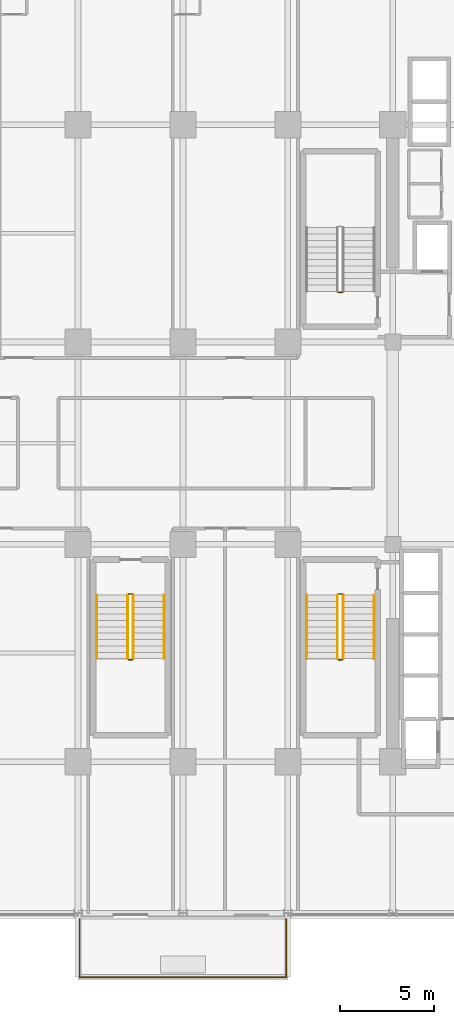
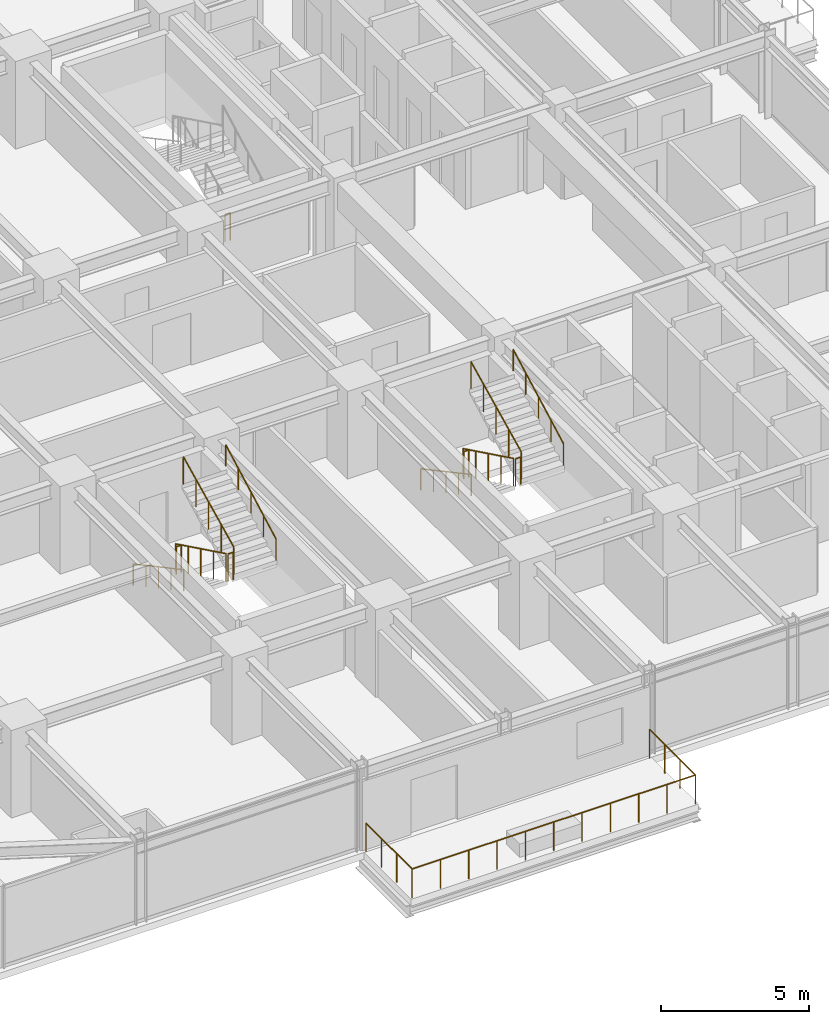
# One storey, part 34 of 36: 14 railings.
"""IFC4 building model written with IfcOpenShell, lengths in metres."""

from ifc_helpers import new_model, si_unit, direction, frame, origin, origin_2d, place, context, subcontext, project, spatial, circle, extrude, material, type_object, element, save


model = new_model("IFC4")

# Units and contexts
model_context = context("Model", 3, precision=1e-05, world=origin(), true_north=direction((0.0, 1.0)))
body_context = subcontext(model_context, "Body", "Model", "MODEL_VIEW")
ifc_project = project(units=[si_unit("LENGTHUNIT", "METRE"), si_unit("AREAUNIT", "SQUARE_METRE"), si_unit("VOLUMEUNIT", "CUBIC_METRE"), si_unit("PLANEANGLEUNIT", "RADIAN"), si_unit("MASSUNIT", "GRAM", prefix="KILO")], contexts=[model_context])

# Site, building, storey
site_placement = place(None, origin())
site = spatial("IfcSite", under=ifc_project, at=site_placement, CompositionType="ELEMENT")
building_placement = place(site_placement, origin())
building = spatial("IfcBuilding", under=site, at=building_placement, Name="Nahalor Promenade Grand Hotel", CompositionType="ELEMENT")
storey_placement = place(building_placement, frame((0.0, 0.0, 72.550048828125)))
storey = spatial("IfcBuildingStorey", under=building, at=storey_placement, Name="L17", CompositionType="ELEMENT", Elevation=72.550048828125)

# Railings
ifc_material_1 = material(Name="Anodised Bronze Aluminium EN AW-6063 T6", Category="aluminium")
railing_type_1 = type_object("IfcRailingType", Name="Bronze Balcony Guardrail 1200 mm", PredefinedType="GUARDRAIL", material=ifc_material_1)
railing_1_placement = place(storey_placement, frame((-8.320068359375, -25.39990234375, 0.0)))
element("IfcRailing", 1, at=railing_1_placement, inside=storey, type_object=railing_type_1, Name="L17 Balcony Guardrail 1", PredefinedType="GUARDRAIL", context=body_context, shape_type="SweptSolid", body=[
    extrude(circle(Radius=0.024048, at=origin_2d()), frame((0.0, 0.0, 1.17578125), z_axis=(0.0, -1.0, 0.0), x_axis=(1.0, 0.0, 0.0)), (0.0, 0.0, 1.0), 3.09814453125),
    extrude(circle(Radius=0.024048, at=origin_2d()), frame((0.001953125, -3.10009765625, 1.17578125), z_axis=(1.0, 0.0, 0.0), x_axis=(0.0, 1.0, 0.0)), (0.0, 0.0, 1.0), 11.0361328125),
    extrude(circle(Radius=0.024048, at=origin_2d()), frame((11.0400390625, -3.09814453125, 1.17578125), z_axis=(0.0, 1.0, 0.0), x_axis=(-1.0, 0.0, 0.0)), (0.0, 0.0, 1.0), 3.09814453125),
    extrude(circle(Radius=0.020996, at=origin_2d()), origin(), (0.0, 0.0, 1.0), 1.14990234375),
    extrude(circle(Radius=0.020996, at=origin_2d()), frame((0.0, -1.033447265625, 0.0)), (0.0, 0.0, 1.0), 1.14990234375),
    extrude(circle(Radius=0.020996, at=origin_2d()), frame((0.0, -2.066650390625, 0.0)), (0.0, 0.0, 1.0), 1.14990234375),
    extrude(circle(Radius=0.020996, at=origin_2d()), frame((0.0, -3.10009765625, 0.0)), (0.0, 0.0, 1.0), 1.14990234375),
    extrude(circle(Radius=0.020996, at=origin_2d()), frame((1.10400390625, -3.10009765625, 0.0)), (0.0, 0.0, 1.0), 1.14990234375),
    extrude(circle(Radius=0.020996, at=origin_2d()), frame((2.2080078125, -3.10009765625, 0.0)), (0.0, 0.0, 1.0), 1.14990234375),
    extrude(circle(Radius=0.020996, at=origin_2d()), frame((3.31201171875, -3.10009765625, 0.0)), (0.0, 0.0, 1.0), 1.14990234375),
    extrude(circle(Radius=0.020996, at=origin_2d()), frame((4.416015625, -3.10009765625, 0.0)), (0.0, 0.0, 1.0), 1.14990234375),
    extrude(circle(Radius=0.020996, at=origin_2d()), frame((5.52001953125, -3.10009765625, 0.0)), (0.0, 0.0, 1.0), 1.14990234375),
    extrude(circle(Radius=0.020996, at=origin_2d()), frame((6.6240234375, -3.10009765625, 0.0)), (0.0, 0.0, 1.0), 1.14990234375),
    extrude(circle(Radius=0.020996, at=origin_2d()), frame((7.72802734375, -3.10009765625, 0.0)), (0.0, 0.0, 1.0), 1.14990234375),
    extrude(circle(Radius=0.020996, at=origin_2d()), frame((8.83203125, -3.10009765625, 0.0)), (0.0, 0.0, 1.0), 1.14990234375),
    extrude(circle(Radius=0.020996, at=origin_2d()), frame((9.93603515625, -3.10009765625, 0.0)), (0.0, 0.0, 1.0), 1.14990234375),
    extrude(circle(Radius=0.020996, at=origin_2d()), frame((11.0400390625, -3.10009765625, 0.0)), (0.0, 0.0, 1.0), 1.14990234375),
    extrude(circle(Radius=0.020996, at=origin_2d()), frame((11.0400390625, -2.066650390625, 0.0)), (0.0, 0.0, 1.0), 1.14990234375),
    extrude(circle(Radius=0.020996, at=origin_2d()), frame((11.0400390625, -1.033447265625, 0.0)), (0.0, 0.0, 1.0), 1.14990234375),
    extrude(circle(Radius=0.020996, at=origin_2d()), frame((11.0400390625, 0.0, 0.0)), (0.0, 0.0, 1.0), 1.14990234375),
])
ifc_material_2 = material(Name="Steel S355JR", Category="steel")
railing_type_2 = type_object("IfcRailingType", Name="Steel Stair Guardrail 1150 mm", PredefinedType="GUARDRAIL", material=ifc_material_2)
railing_2_placement = place(storey_placement, frame((5.699951171875, 8.050048828125, 0.0)))
element("IfcRailing", 2, at=railing_2_placement, inside=storey, type_object=railing_type_2, Name="L17 ST1 stair guard 4", PredefinedType="GUARDRAIL", context=body_context, shape_type="SweptSolid", body=[
    extrude(circle(Radius=0.024048, at=origin_2d()), frame((0.0, 0.0, 1.1259765625), z_axis=(-1.0, 0.0, 0.0), x_axis=(0.0, -1.0, 0.0)), (0.0, 0.0, 1.0), 0.199951171875),
    extrude(circle(Radius=0.020996, at=origin_2d()), origin(), (0.0, 0.0, 1.0), 1.099853515625),
    extrude(circle(Radius=0.020996, at=origin_2d()), frame((-0.199951171875, 0.0, 0.0)), (0.0, 0.0, 1.0), 1.099853515625),
])
railing_3_placement = place(storey_placement, frame((5.449951171875, -8.10009765625, 0.165771484375)))
element("IfcRailing", 3, at=railing_3_placement, inside=storey, type_object=railing_type_2, Name="L17 ST2 stair guard 1", PredefinedType="GUARDRAIL", context=body_context, shape_type="SweptSolid", body=[
    extrude(circle(Radius=0.024048, at=origin_2d()), frame((0.0, 0.0, 1.1259765625), z_axis=(0.0, -0.898696488221, 0.438571114028), x_axis=(1.0, 0.0, 0.0)), (0.0, 0.0, 1.0), 3.783203125),
    extrude(circle(Radius=0.020996, at=origin_2d()), origin(), (0.0, 0.0, 1.0), 1.099853515625),
    extrude(circle(Radius=0.020996, at=origin_2d()), frame((0.0, -0.85009765625, 0.414794921875)), (0.0, 0.0, 1.0), 1.099853515625),
    extrude(circle(Radius=0.020996, at=origin_2d()), frame((0.0, -1.699951171875, 0.82958984375)), (0.0, 0.0, 1.0), 1.099853515625),
    extrude(circle(Radius=0.020996, at=origin_2d()), frame((0.0, -2.5498046875, 1.244384765625)), (0.0, 0.0, 1.0), 1.099853515625),
    extrude(circle(Radius=0.020996, at=origin_2d()), frame((0.0, -3.39990234375, 1.6591796875)), (0.0, 0.0, 1.0), 1.099853515625),
])
railing_4_placement = place(storey_placement, frame((5.5, -11.550048828125, 1.824951171875)))
element("IfcRailing", 4, at=railing_4_placement, inside=storey, type_object=railing_type_2, Name="L17 ST2 stair guard 2", PredefinedType="GUARDRAIL", context=body_context, shape_type="SweptSolid", body=[
    extrude(circle(Radius=0.024048, at=origin_2d()), frame((0.0, 0.0, 1.1259765625), z_axis=(1.0, 0.0, 0.0), x_axis=(0.0, 1.0, 0.0)), (0.0, 0.0, 1.0), 0.199951171875),
    extrude(circle(Radius=0.020996, at=origin_2d()), origin(), (0.0, 0.0, 1.0), 1.099853515625),
    extrude(circle(Radius=0.020996, at=origin_2d()), frame((0.199951171875, 0.0, 0.0)), (0.0, 0.0, 1.0), 1.099853515625),
])
railing_5_placement = place(storey_placement, frame((5.75, -11.5, 1.990966796875)))
element("IfcRailing", 5, at=railing_5_placement, inside=storey, type_object=railing_type_2, Name="L17 ST2 stair guard 3", PredefinedType="GUARDRAIL", context=body_context, shape_type="SweptSolid", body=[
    extrude(circle(Radius=0.024048, at=origin_2d()), frame((0.0, 0.0, 1.1259765625), z_axis=(0.0, 0.898721922897, 0.438518990814), x_axis=(-1.0, 0.0, 0.0)), (0.0, 0.0, 1.0), 3.782958984375),
    extrude(circle(Radius=0.020996, at=origin_2d()), origin(), (0.0, 0.0, 1.0), 1.099853515625),
    extrude(circle(Radius=0.020996, at=origin_2d()), frame((0.0, 0.85009765625, 0.414794921875)), (0.0, 0.0, 1.0), 1.099853515625),
    extrude(circle(Radius=0.020996, at=origin_2d()), frame((0.0, 1.699951171875, 0.82958984375)), (0.0, 0.0, 1.0), 1.099853515625),
    extrude(circle(Radius=0.020996, at=origin_2d()), frame((0.0, 2.5498046875, 1.244140625)), (0.0, 0.0, 1.0), 1.099853515625),
    extrude(circle(Radius=0.020996, at=origin_2d()), frame((0.0, 3.39990234375, 1.658935546875)), (0.0, 0.0, 1.0), 1.099853515625),
])
railing_6_placement = place(storey_placement, frame((5.5, -8.050048828125, 0.0)))
element("IfcRailing", 6, at=railing_6_placement, inside=storey, type_object=railing_type_2, Name="L17 ST2 stair guard 4", PredefinedType="GUARDRAIL", context=body_context, shape_type="SweptSolid", body=[
    extrude(circle(Radius=0.024048, at=origin_2d()), frame((0.0, 0.0, 1.1259765625), z_axis=(1.0, 0.0, 0.0), x_axis=(0.0, 1.0, 0.0)), (0.0, 0.0, 1.0), 0.199951171875),
    extrude(circle(Radius=0.020996, at=origin_2d()), origin(), (0.0, 0.0, 1.0), 1.099853515625),
    extrude(circle(Radius=0.020996, at=origin_2d()), frame((0.199951171875, 0.0, 0.0)), (0.0, 0.0, 1.0), 1.099853515625),
])
railing_7_placement = place(storey_placement, frame((-5.75, -8.10009765625, 0.165771484375)))
element("IfcRailing", 7, at=railing_7_placement, inside=storey, type_object=railing_type_2, Name="L17 ST3 stair guard 1", PredefinedType="GUARDRAIL", context=body_context, shape_type="SweptSolid", body=[
    extrude(circle(Radius=0.024048, at=origin_2d()), frame((0.0, 0.0, 1.1259765625), z_axis=(0.0, -0.898696488221, 0.438571114028), x_axis=(1.0, 0.0, 0.0)), (0.0, 0.0, 1.0), 3.783203125),
    extrude(circle(Radius=0.020996, at=origin_2d()), origin(), (0.0, 0.0, 1.0), 1.099853515625),
    extrude(circle(Radius=0.020996, at=origin_2d()), frame((0.0, -0.85009765625, 0.414794921875)), (0.0, 0.0, 1.0), 1.099853515625),
    extrude(circle(Radius=0.020996, at=origin_2d()), frame((0.0, -1.699951171875, 0.82958984375)), (0.0, 0.0, 1.0), 1.099853515625),
    extrude(circle(Radius=0.020996, at=origin_2d()), frame((0.0, -2.5498046875, 1.244384765625)), (0.0, 0.0, 1.0), 1.099853515625),
    extrude(circle(Radius=0.020996, at=origin_2d()), frame((0.0, -3.39990234375, 1.6591796875)), (0.0, 0.0, 1.0), 1.099853515625),
])
railing_8_placement = place(storey_placement, frame((-5.699951171875, -11.550048828125, 1.824951171875)))
element("IfcRailing", 8, at=railing_8_placement, inside=storey, type_object=railing_type_2, Name="L17 ST3 stair guard 2", PredefinedType="GUARDRAIL", context=body_context, shape_type="SweptSolid", body=[
    extrude(circle(Radius=0.024048, at=origin_2d()), frame((0.0, 0.0, 1.1259765625), z_axis=(1.0, 0.0, 0.0), x_axis=(0.0, 1.0, 0.0)), (0.0, 0.0, 1.0), 0.199951171875),
    extrude(circle(Radius=0.020996, at=origin_2d()), origin(), (0.0, 0.0, 1.0), 1.099853515625),
    extrude(circle(Radius=0.020996, at=origin_2d()), frame((0.199951171875, 0.0, 0.0)), (0.0, 0.0, 1.0), 1.099853515625),
])
railing_9_placement = place(storey_placement, frame((-5.449951171875, -11.5, 1.990966796875)))
element("IfcRailing", 9, at=railing_9_placement, inside=storey, type_object=railing_type_2, Name="L17 ST3 stair guard 3", PredefinedType="GUARDRAIL", context=body_context, shape_type="SweptSolid", body=[
    extrude(circle(Radius=0.024048, at=origin_2d()), frame((0.0, 0.0, 1.1259765625), z_axis=(0.0, 0.898721922897, 0.438518990814), x_axis=(-1.0, 0.0, 0.0)), (0.0, 0.0, 1.0), 3.782958984375),
    extrude(circle(Radius=0.020996, at=origin_2d()), origin(), (0.0, 0.0, 1.0), 1.099853515625),
    extrude(circle(Radius=0.020996, at=origin_2d()), frame((0.0, 0.85009765625, 0.414794921875)), (0.0, 0.0, 1.0), 1.099853515625),
    extrude(circle(Radius=0.020996, at=origin_2d()), frame((0.0, 1.699951171875, 0.82958984375)), (0.0, 0.0, 1.0), 1.099853515625),
    extrude(circle(Radius=0.020996, at=origin_2d()), frame((0.0, 2.5498046875, 1.244140625)), (0.0, 0.0, 1.0), 1.099853515625),
    extrude(circle(Radius=0.020996, at=origin_2d()), frame((0.0, 3.39990234375, 1.658935546875)), (0.0, 0.0, 1.0), 1.099853515625),
])
railing_10_placement = place(storey_placement, frame((-5.699951171875, -8.050048828125, 0.0)))
element("IfcRailing", 10, at=railing_10_placement, inside=storey, type_object=railing_type_2, Name="L17 ST3 stair guard 4", PredefinedType="GUARDRAIL", context=body_context, shape_type="SweptSolid", body=[
    extrude(circle(Radius=0.024048, at=origin_2d()), frame((0.0, 0.0, 1.1259765625), z_axis=(1.0, 0.0, 0.0), x_axis=(0.0, 1.0, 0.0)), (0.0, 0.0, 1.0), 0.199951171875),
    extrude(circle(Radius=0.020996, at=origin_2d()), origin(), (0.0, 0.0, 1.0), 1.099853515625),
    extrude(circle(Radius=0.020996, at=origin_2d()), frame((0.199951171875, 0.0, 0.0)), (0.0, 0.0, 1.0), 1.099853515625),
])
railing_type_3 = type_object("IfcRailingType", Name="Steel Stair Handrail 900 mm", PredefinedType="HANDRAIL", material=ifc_material_2)
railing_11_placement = place(storey_placement, frame((3.800048828125, -8.10009765625, 0.165771484375)))
element("IfcRailing", 11, at=railing_11_placement, inside=storey, type_object=railing_type_3, Name="L17 ST2 stair handrail 1", PredefinedType="HANDRAIL", context=body_context, shape_type="SweptSolid", body=[
    extrude(circle(Radius=0.024048, at=origin_2d()), frame((0.0, 0.0, 0.8759765625), z_axis=(0.0, -0.881067672671, 0.472990228413), x_axis=(1.0, 0.0, 0.0)), (0.0, 0.0, 1.0), 3.85888671875),
    extrude(circle(Radius=0.020996, at=origin_2d()), origin(), (0.0, 0.0, 1.0), 0.849853515625),
    extrude(circle(Radius=0.020996, at=origin_2d()), frame((0.0, -0.85009765625, 0.456298828125)), (0.0, 0.0, 1.0), 0.849853515625),
    extrude(circle(Radius=0.020996, at=origin_2d()), frame((0.0, -1.699951171875, 0.91259765625)), (0.0, 0.0, 1.0), 0.849853515625),
    extrude(circle(Radius=0.020996, at=origin_2d()), frame((0.0, -2.5498046875, 1.368896484375)), (0.0, 0.0, 1.0), 0.849853515625),
    extrude(circle(Radius=0.020996, at=origin_2d()), frame((0.0, -3.39990234375, 1.8251953125)), (0.0, 0.0, 1.0), 0.849853515625),
])
railing_12_placement = place(storey_placement, frame((7.39990234375, -11.5, 1.990966796875)))
element("IfcRailing", 12, at=railing_12_placement, inside=storey, type_object=railing_type_3, Name="L17 ST2 stair handrail 2", PredefinedType="HANDRAIL", context=body_context, shape_type="SweptSolid", body=[
    extrude(circle(Radius=0.024048, at=origin_2d()), frame((0.0, 0.0, 0.8759765625), z_axis=(0.0, 0.881094038095, 0.47294111265), x_axis=(-1.0, 0.0, 0.0)), (0.0, 0.0, 1.0), 3.858642578125),
    extrude(circle(Radius=0.020996, at=origin_2d()), origin(), (0.0, 0.0, 1.0), 0.849853515625),
    extrude(circle(Radius=0.020996, at=origin_2d()), frame((0.0, 0.85009765625, 0.456298828125)), (0.0, 0.0, 1.0), 0.849853515625),
    extrude(circle(Radius=0.020996, at=origin_2d()), frame((0.0, 1.699951171875, 0.91259765625)), (0.0, 0.0, 1.0), 0.849853515625),
    extrude(circle(Radius=0.020996, at=origin_2d()), frame((0.0, 2.5498046875, 1.36865234375)), (0.0, 0.0, 1.0), 0.849853515625),
    extrude(circle(Radius=0.020996, at=origin_2d()), frame((0.0, 3.39990234375, 1.824951171875)), (0.0, 0.0, 1.0), 0.849853515625),
])
railing_13_placement = place(storey_placement, frame((-7.39990234375, -8.10009765625, 0.165771484375)))
element("IfcRailing", 13, at=railing_13_placement, inside=storey, type_object=railing_type_3, Name="L17 ST3 stair handrail 1", PredefinedType="HANDRAIL", context=body_context, shape_type="SweptSolid", body=[
    extrude(circle(Radius=0.024048, at=origin_2d()), frame((0.0, 0.0, 0.8759765625), z_axis=(0.0, -0.881067672671, 0.472990228413), x_axis=(1.0, 0.0, 0.0)), (0.0, 0.0, 1.0), 3.85888671875),
    extrude(circle(Radius=0.020996, at=origin_2d()), origin(), (0.0, 0.0, 1.0), 0.849853515625),
    extrude(circle(Radius=0.020996, at=origin_2d()), frame((0.0, -0.85009765625, 0.456298828125)), (0.0, 0.0, 1.0), 0.849853515625),
    extrude(circle(Radius=0.020996, at=origin_2d()), frame((0.0, -1.699951171875, 0.91259765625)), (0.0, 0.0, 1.0), 0.849853515625),
    extrude(circle(Radius=0.020996, at=origin_2d()), frame((0.0, -2.5498046875, 1.368896484375)), (0.0, 0.0, 1.0), 0.849853515625),
    extrude(circle(Radius=0.020996, at=origin_2d()), frame((0.0, -3.39990234375, 1.8251953125)), (0.0, 0.0, 1.0), 0.849853515625),
])
railing_14_placement = place(storey_placement, frame((-3.800048828125, -11.5, 1.990966796875)))
element("IfcRailing", 14, at=railing_14_placement, inside=storey, type_object=railing_type_3, Name="L17 ST3 stair handrail 2", PredefinedType="HANDRAIL", context=body_context, shape_type="SweptSolid", body=[
    extrude(circle(Radius=0.024048, at=origin_2d()), frame((0.0, 0.0, 0.8759765625), z_axis=(0.0, 0.881094038095, 0.47294111265), x_axis=(-1.0, 0.0, 0.0)), (0.0, 0.0, 1.0), 3.858642578125),
    extrude(circle(Radius=0.020996, at=origin_2d()), origin(), (0.0, 0.0, 1.0), 0.849853515625),
    extrude(circle(Radius=0.020996, at=origin_2d()), frame((0.0, 0.85009765625, 0.456298828125)), (0.0, 0.0, 1.0), 0.849853515625),
    extrude(circle(Radius=0.020996, at=origin_2d()), frame((0.0, 1.699951171875, 0.91259765625)), (0.0, 0.0, 1.0), 0.849853515625),
    extrude(circle(Radius=0.020996, at=origin_2d()), frame((0.0, 2.5498046875, 1.36865234375)), (0.0, 0.0, 1.0), 0.849853515625),
    extrude(circle(Radius=0.020996, at=origin_2d()), frame((0.0, 3.39990234375, 1.824951171875)), (0.0, 0.0, 1.0), 0.849853515625),
])

save(model, "model.ifc")
